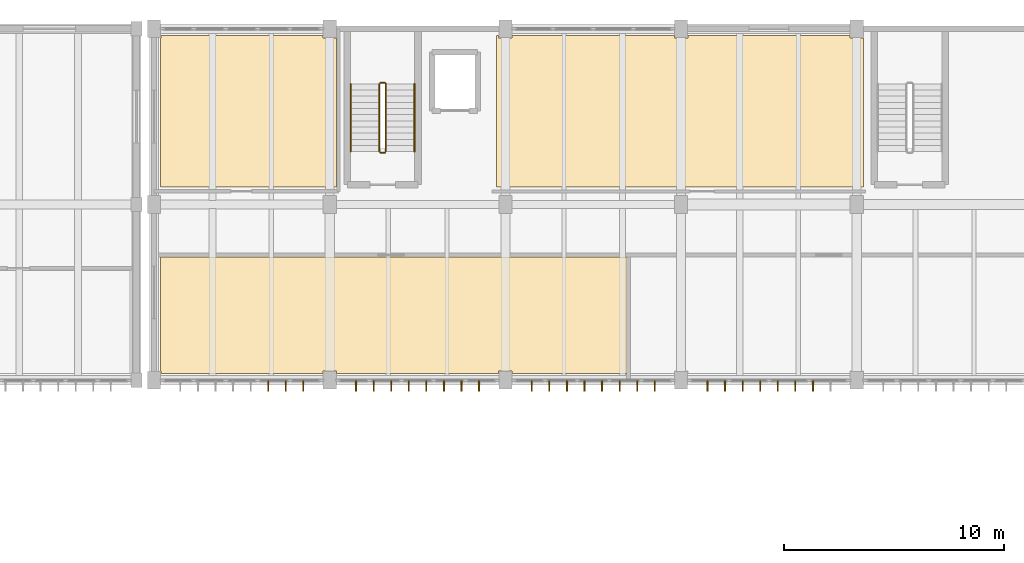
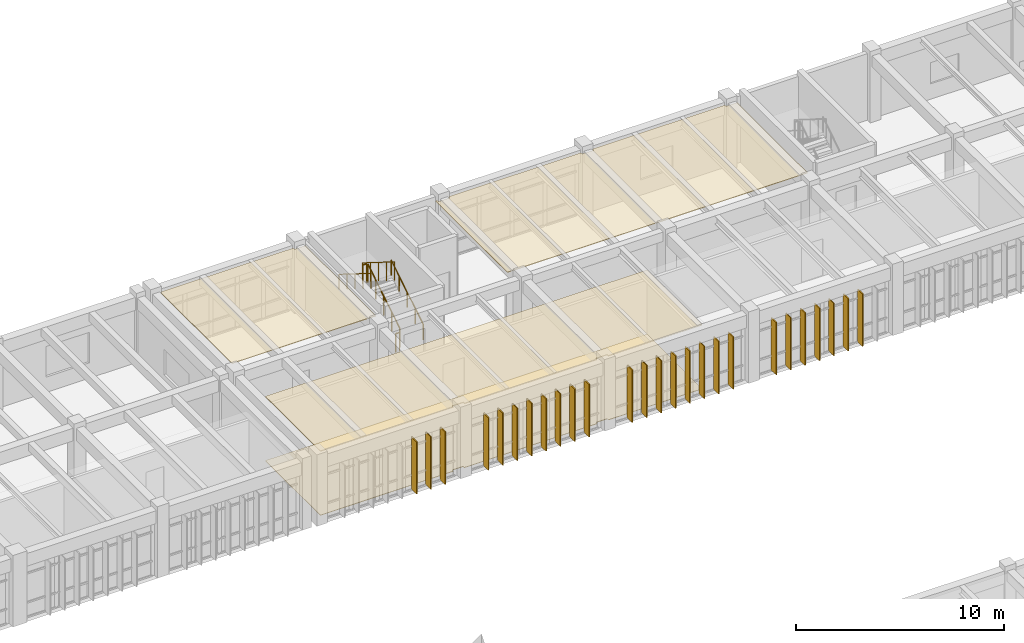
# One storey, part 64 of 67: 26 shading devices, 6 railings, 4 coverings.
"""IFC4 building model written with IfcOpenShell, lengths in metres."""

import ifcopenshell
import ifcopenshell.guid

model = None  # the IFC model being written
_history = None  # IfcOwnerHistory: only IFC2X3 demands one
_inside = {}  # id of a spatial element -> (the spatial element, [elements in it])
_under = {}  # id of a project, library or spatial element -> (it, [spatial elements below it])
_declared = {}  # id of a project -> (the project, [libraries it declares])
_typed = {}  # id of a type object -> (the type object, [elements of that type])
_made_of = {}  # id of a material, layer set ... -> (it, [elements and type objects made of it])


def new_model(schema):
    """Start an empty IFC model of exactly this schema.

    Asked for "IFC4X3", IfcOpenShell would pick the latest addendum, in which some entities
    have other attributes; the version numbers below select the first issue.
    IFC2X3 requires an IfcOwnerHistory on every rooted entity: one is made here for all.
    """
    global model, _history
    if schema == "IFC4X3":
        model = ifcopenshell.file(schema_version=(4, 3, 0, 0))
    else:
        model = ifcopenshell.file(schema=schema)
    _inside.clear()
    _under.clear()
    _declared.clear()
    _typed.clear()
    _made_of.clear()
    _history = None
    if model.schema == "IFC2X3":
        org = make("IfcOrganization", Name="unknown")
        user = make(
            "IfcPersonAndOrganization",
            ThePerson=make("IfcPerson", FamilyName="unknown"),
            TheOrganization=org,
        )
        app = make(
            "IfcApplication",
            ApplicationDeveloper=org,
            Version="unknown",
            ApplicationFullName="unknown",
            ApplicationIdentifier="unknown",
        )
        _history = make(
            "IfcOwnerHistory",
            OwningUser=user,
            OwningApplication=app,
            ChangeAction="ADDED",
            CreationDate=0,
        )
    return model


def make(cls, **values):
    """One entity of the class cls with the attributes given. An attribute that is None is left unset."""
    return model.create_entity(
        cls, **{name: value for name, value in values.items() if value is not None}
    )


def rooted(cls, **values):
    """An entity with a GlobalId (a new one), such as an element, a storey or a relation."""
    return make(cls, GlobalId=ifcopenshell.guid.new(), OwnerHistory=_history, **values)


def si_unit(unit_type, name, prefix=None):
    """IfcSIUnit, for example si_unit("LENGTHUNIT", "METRE", prefix="MILLI")."""
    return make("IfcSIUnit", UnitType=unit_type, Prefix=prefix, Name=name)


def assignment(units):
    """IfcUnitAssignment: the units of a project."""
    return None if units is None else make("IfcUnitAssignment", Units=units)


def point(xyz):
    """IfcCartesianPoint."""
    return None if xyz is None else make("IfcCartesianPoint", Coordinates=xyz)


def direction(xyz):
    """IfcDirection."""
    return None if xyz is None else make("IfcDirection", DirectionRatios=xyz)


def frame(location, z_axis=None, x_axis=None):
    """IfcAxis2Placement3D, a coordinate frame: its origin and axes. An axis left out is left unset."""
    return make(
        "IfcAxis2Placement3D",
        Location=point(location),
        Axis=direction(z_axis),
        RefDirection=direction(x_axis),
    )


def frame_2d(location, x_axis=None):
    """IfcAxis2Placement2D, a coordinate frame in the plane: its origin and x axis."""
    return make(
        "IfcAxis2Placement2D", Location=point(location), RefDirection=direction(x_axis)
    )


def origin():
    """The frame at (0, 0, 0) with its axes left unset."""
    return frame((0.0, 0.0, 0.0))


def origin_2d():
    """The frame at (0, 0) in the plane with its x axis left unset."""
    return frame_2d((0.0, 0.0))


def place(relative_to, where):
    """IfcLocalPlacement: puts the frame where relative to a parent placement (None: the world)."""
    return make(
        "IfcLocalPlacement", PlacementRelTo=relative_to, RelativePlacement=where
    )


def context(
    kind, dimensions, precision=None, world=None, true_north=None, identifier=None
):
    """IfcGeometricRepresentationContext, for example the 3D "Model" context."""
    return make(
        "IfcGeometricRepresentationContext",
        ContextIdentifier=identifier,
        ContextType=kind,
        CoordinateSpaceDimension=dimensions,
        Precision=precision,
        WorldCoordinateSystem=world,
        TrueNorth=true_north,
    )


def subcontext(parent, identifier, kind, view, scale=None):
    """IfcGeometricRepresentationSubContext, for example "Body" below "Model"."""
    return make(
        "IfcGeometricRepresentationSubContext",
        ContextIdentifier=identifier,
        ContextType=kind,
        ParentContext=parent,
        TargetScale=scale,
        TargetView=view,
    )


def project(units=None, contexts=None):
    """IfcProject with its units and contexts."""
    return rooted(
        "IfcProject",
        Name="project",
        RepresentationContexts=contexts,
        UnitsInContext=assignment(units),
    )


def spatial(cls, under=None, at=None, **own):
    """A site, building, storey or space (cls), placed at a placement, below another one or the project."""
    s = rooted(cls, ObjectPlacement=at, **own)
    if under is not None:
        _under.setdefault(under.id(), (under, []))[1].append(s)
    return s


def polyline(points):
    """IfcPolyline through the points."""
    return make("IfcPolyline", Points=[point(p) for p in points])


def profile(cls, at=None, kind="AREA", **sizes):
    """A parametric profile (cls). Its sizes go by their IFC names, for example OverallWidth=200.0."""
    return make(cls, ProfileType=kind, Position=at, **sizes)


def rectangle(**sizes):
    """IfcRectangleProfileDef."""
    return profile("IfcRectangleProfileDef", **sizes)


def circle(**sizes):
    """IfcCircleProfileDef."""
    return profile("IfcCircleProfileDef", **sizes)


def outline(outer, holes=None, kind="AREA"):
    """IfcArbitraryClosedProfileDef: a profile drawn as a closed curve; with holes, ...WithVoids."""
    if holes is None:
        return make("IfcArbitraryClosedProfileDef", ProfileType=kind, OuterCurve=outer)
    return make(
        "IfcArbitraryProfileDefWithVoids",
        ProfileType=kind,
        OuterCurve=outer,
        InnerCurves=holes,
    )


def extrude(swept, where, along, depth):
    """IfcExtrudedAreaSolid: the profile swept, set in the frame where, extruded along a direction by depth."""
    return make(
        "IfcExtrudedAreaSolid",
        SweptArea=swept,
        Position=where,
        ExtrudedDirection=direction(along),
        Depth=depth,
    )


def shape(context_of_items, identifier, shape_type, items):
    """IfcShapeRepresentation: the items that make up one representation, for example the "Body"."""
    return make(
        "IfcShapeRepresentation",
        ContextOfItems=context_of_items,
        RepresentationIdentifier=identifier,
        RepresentationType=shape_type,
        Items=items,
    )


def material(Name=None, Category=None):
    """IfcMaterial."""
    return make("IfcMaterial", Name=Name, Category=Category)


def layer(
    of_material, thickness, ventilated=None, Name=None, Category=None, Priority=None
):
    """IfcMaterialLayer: one layer of a wall or slab, of a material (None: an air gap)."""
    return make(
        "IfcMaterialLayer",
        Material=of_material,
        LayerThickness=thickness,
        IsVentilated=ventilated,
        Name=Name,
        Category=Category,
        Priority=Priority,
    )


def layer_set(layers, Name=None):
    """IfcMaterialLayerSet."""
    return make("IfcMaterialLayerSet", MaterialLayers=layers, LayerSetName=Name)


def made_of(thing, what):
    """Note that an element or type object is made of a material, layer set ...; save() writes the relation."""
    if what is not None:
        _made_of.setdefault(what.id(), (what, []))[1].append(thing)
    return thing


def type_object(cls, material=None, **own):
    """A type object (cls), such as IfcWallType, which elements share."""
    return made_of(rooted(cls, **own), material)


def element(
    cls,
    number,
    at=None,
    inside=None,
    cuts=None,
    type_object=None,
    material=None,
    context=None,
    identifier="Body",
    shape_type=None,
    held_by="IfcProductDefinitionShape",
    body=None,
    shapes=None,
    **own,
):
    """One element of the class cls, such as IfcWall. Its Tag is "e" and its number.

    at: its placement. inside: the storey or other place that contains it. cuts: it is an
    opening in that element (IfcRelVoidsElement). A single representation is given by context,
    identifier, shape_type and body (its items); several are given by shapes. held_by: the class
    of the entity that holds the representations. save() writes the other relations.
    """
    e = rooted(cls, Tag="e%d" % number, ObjectPlacement=at, **own)
    if body is not None:
        shapes = [shape(context, identifier, shape_type, body)]
    if shapes is not None:
        e.Representation = make(held_by, Representations=shapes)
    if inside is not None:
        _inside.setdefault(inside.id(), (inside, []))[1].append(e)
    if cuts is not None:
        rooted(
            "IfcRelVoidsElement", RelatingBuildingElement=cuts, RelatedOpeningElement=e
        )
    if type_object is not None:
        _typed.setdefault(type_object.id(), (type_object, []))[1].append(e)
    return made_of(e, material)


def aggregate(whole, parts):
    """IfcRelAggregates: a whole, such as a stair, and the parts it consists of."""
    return rooted("IfcRelAggregates", RelatingObject=whole, RelatedObjects=parts)


def save(model, path):
    """Write the relations noted so far, then the file.

    IfcRelAggregates (storeys below a building ...), IfcRelContainedInSpatialStructure (elements
    in a storey), IfcRelDefinesByType, IfcRelAssociatesMaterial and IfcRelDeclares: one each for
    every whole, place, type object, material and project.
    """
    for whole, parts in _under.values():
        aggregate(whole, parts)
    for where, things in _inside.values():
        rooted(
            "IfcRelContainedInSpatialStructure",
            RelatedElements=things,
            RelatingStructure=where,
        )
    for kind, things in _typed.values():
        rooted("IfcRelDefinesByType", RelatedObjects=things, RelatingType=kind)
    for what, things in _made_of.values():
        rooted("IfcRelAssociatesMaterial", RelatedObjects=things, RelatingMaterial=what)
    for by, libraries in _declared.values():
        rooted("IfcRelDeclares", RelatingContext=by, RelatedDefinitions=libraries)
    model.write(path)


model = new_model("IFC4")

# Units and contexts
model_context = context("Model", 3, precision=1e-05, world=origin(), true_north=direction((0.0, 1.0)))
body_context = subcontext(model_context, "Body", "Model", "MODEL_VIEW")
ifc_project = project(units=[si_unit("LENGTHUNIT", "METRE"), si_unit("AREAUNIT", "SQUARE_METRE"), si_unit("VOLUMEUNIT", "CUBIC_METRE"), si_unit("PLANEANGLEUNIT", "RADIAN"), si_unit("MASSUNIT", "GRAM", prefix="KILO")], contexts=[model_context])

# Site, building, storey
site_placement = place(None, origin())
site = spatial("IfcSite", under=ifc_project, at=site_placement, CompositionType="ELEMENT")
building_placement = place(site_placement, origin())
building = spatial("IfcBuilding", under=site, at=building_placement, Name="Tlaxcora Railside Police Headquarters", CompositionType="ELEMENT")
storey_placement = place(building_placement, frame((0.0, 0.0, 4.800048828125)))
storey = spatial("IfcBuildingStorey", under=building, at=storey_placement, Name="L01", CompositionType="ELEMENT", Elevation=4.800048828125)

# Coverings
ifc_material_1 = material(Name="Mineral-fibre acoustic ceiling tile")
ifc_layer_1 = layer(ifc_material_1, 0.034912109375, Name="Mineral-fibre acoustic ceiling tile")
ifc_layer_set_1 = layer_set([ifc_layer_1], Name="Mineral-fibre acoustic ceiling tile")
covering_type_1 = type_object("IfcCoveringType", Name="Acoustic Suspended Ceiling CLG-01", PredefinedType="CEILING", material=ifc_layer_set_1)
covering_1_placement = place(storey_placement, frame((0.0, 0.0, 3.764892578125)))
element("IfcCovering", 1, at=covering_1_placement, inside=storey, type_object=covering_type_1, Name="Accessible WC and Lab Emergency Wash L01 suspended ceiling", PredefinedType="CEILING", context=body_context, shape_type="SweptSolid", body=[
    extrude(outline(polyline([(103.10009765625, 92.389892578125), (103.10009765625, 85.60009765625), (111.10009765625, 85.60009765625), (111.10009765625, 92.389892578125), (110.489990234375, 92.389892578125), (110.489990234375, 92.5), (103.110107421875, 92.5), (103.110107421875, 92.389892578125), (103.10009765625, 92.389892578125)])), origin(), (0.0, 0.0, 1.0), 0.03515625),
])
covering_2_placement = place(storey_placement, frame((0.0, 0.0, 3.764892578125)))
element("IfcCovering", 2, at=covering_2_placement, inside=storey, type_object=covering_type_1, Name="Forensic Chemists Write-Up Office suspended ceiling", PredefinedType="CEILING", context=body_context, shape_type="SweptSolid", body=[
    extrude(outline(polyline([(118.489990234375, 92.5), (118.39990234375, 92.5), (118.39990234375, 85.60009765625), (135.10009765625, 85.60009765625), (135.10009765625, 92.389892578125), (134.489990234375, 92.389892578125), (134.489990234375, 92.5), (127.110107421875, 92.5), (127.110107421875, 92.389892578125), (126.489990234375, 92.389892578125), (126.489990234375, 92.5), (119.110107421875, 92.5), (119.110107421875, 92.389892578125), (118.489990234375, 92.389892578125), (118.489990234375, 92.5)])), origin(), (0.0, 0.0, 1.0), 0.03515625),
])
ifc_material_2 = material(Name="Heavy-duty resin and raised-access technical flooring")
ifc_layer_2 = layer(ifc_material_2, 0.02490234375, Name="Heavy-duty resin and raised-access technical flooring")
ifc_layer_set_2 = layer_set([ifc_layer_2], Name="Heavy-duty resin and raised-access technical flooring")
covering_type_2 = type_object("IfcCoveringType", Name="Epoxy Chemical-Resistant Lab Flooring FLR-02", PredefinedType="FLOORING", material=ifc_layer_set_2)
covering_3_placement = place(storey_placement, origin())
element("IfcCovering", 3, at=covering_3_placement, inside=storey, type_object=covering_type_2, Name="Forensic Chemistry and Toxicology Laboratory technical floor finish", PredefinedType="FLOORING", context=body_context, shape_type="SweptSolid", body=[
    extrude(outline(polyline([(124.327880859375, 82.39990234375), (103.10009765625, 82.39990234375), (103.10009765625, 77.2099609375), (103.110107421875, 77.2099609375), (103.110107421875, 77.10009765625), (110.489990234375, 77.10009765625), (110.489990234375, 77.2099609375), (111.110107421875, 77.2099609375), (111.110107421875, 77.10009765625), (118.489990234375, 77.10009765625), (118.489990234375, 77.2099609375), (119.110107421875, 77.2099609375), (119.110107421875, 77.10009765625), (124.327880859375, 77.10009765625), (124.327880859375, 82.39990234375)])), origin(), (0.0, 0.0, 1.0), 0.02490234375),
])
ifc_layer_3 = layer(ifc_material_1, 0.044921875, Name="Mineral-fibre acoustic ceiling tile")
ifc_layer_set_3 = layer_set([ifc_layer_3], Name="Mineral-fibre acoustic ceiling tile")
covering_type_3 = type_object("IfcCoveringType", Name="Laboratory Hygienic Ceiling CLG-02", PredefinedType="CEILING", material=ifc_layer_set_3)
covering_4_placement = place(storey_placement, frame((0.0, 0.0, 3.7548828125)))
element("IfcCovering", 4, at=covering_4_placement, inside=storey, type_object=covering_type_3, Name="Forensic Chemistry and Toxicology Laboratory suspended ceiling", PredefinedType="CEILING", context=body_context, shape_type="SweptSolid", body=[
    extrude(outline(polyline([(124.327880859375, 82.39990234375), (103.10009765625, 82.39990234375), (103.10009765625, 77.2099609375), (103.110107421875, 77.2099609375), (103.110107421875, 77.10009765625), (110.489990234375, 77.10009765625), (110.489990234375, 77.2099609375), (111.110107421875, 77.2099609375), (111.110107421875, 77.10009765625), (118.489990234375, 77.10009765625), (118.489990234375, 77.2099609375), (119.110107421875, 77.2099609375), (119.110107421875, 77.10009765625), (124.327880859375, 77.10009765625), (124.327880859375, 82.39990234375)])), origin(), (0.0, 0.0, 1.0), 0.045166015625),
])

# Shading devices
ifc_material_3 = material(Name="Bronze-anodised perforated aluminium sheet", Category="aluminium")
ifc_layer_4 = layer(ifc_material_3, 0.06494140625, Name="Bronze-anodised perforated aluminium sheet")
ifc_layer_set_4 = layer_set([ifc_layer_4], Name="Bronze-anodised perforated aluminium sheet")
shading_device_type = type_object("IfcShadingDeviceType", Name="Solar Control Fin SF-02", PredefinedType="JALOUSIE", material=ifc_layer_set_4)
for number, where, z_axis, x_axis, name in (
    (5, (108.0, 76.5400390625, 0.039794921875), (0.0, 0.0, 1.0), (0.0, -1.0, 0.0), "Vertical solar fin 773"),
    (6, (108.800048828125, 76.5400390625, 0.039794921875), (0.0, 0.0, 1.0), (0.0, -1.0, 0.0), "Vertical solar fin 774"),
    (7, (109.60009765625, 76.5400390625, 0.039794921875), (0.0, 0.0, 1.0), (0.0, -1.0, 0.0), "Vertical solar fin 775"),
    (8, (112.0, 76.5400390625, 0.039794921875), (0.0, 0.0, 1.0), (0.0, -1.0, 0.0), "Vertical solar fin 776"),
    (9, (112.800048828125, 76.5400390625, 0.039794921875), (0.0, 0.0, 1.0), (0.0, -1.0, 0.0), "Vertical solar fin 777"),
    (10, (113.60009765625, 76.5400390625, 0.039794921875), (0.0, 0.0, 1.0), (0.0, -1.0, 0.0), "Vertical solar fin 778"),
    (11, (114.39990234375, 76.5400390625, 0.039794921875), (0.0, 0.0, 1.0), (0.0, -1.0, 0.0), "Vertical solar fin 779"),
    (12, (115.199951171875, 76.5400390625, 0.039794921875), (0.0, 0.0, 1.0), (0.0, -1.0, 0.0), "Vertical solar fin 780"),
    (13, (116.0, 76.5400390625, 0.039794921875), (0.0, 0.0, 1.0), (0.0, -1.0, 0.0), "Vertical solar fin 781"),
    (14, (116.800048828125, 76.5400390625, 0.039794921875), (0.0, 0.0, 1.0), (0.0, -1.0, 0.0), "Vertical solar fin 782"),
    (15, (117.60009765625, 76.5400390625, 0.039794921875), (0.0, 0.0, 1.0), (0.0, -1.0, 0.0), "Vertical solar fin 783"),
    (16, (120.0, 76.5400390625, 0.039794921875), (0.0, 0.0, 1.0), (0.0, -1.0, 0.0), "Vertical solar fin 784"),
    (17, (120.800048828125, 76.5400390625, 0.039794921875), (0.0, 0.0, 1.0), (0.0, -1.0, 0.0), "Vertical solar fin 785"),
    (18, (121.60009765625, 76.5400390625, 0.039794921875), (0.0, 0.0, 1.0), (0.0, -1.0, 0.0), "Vertical solar fin 786"),
    (19, (122.39990234375, 76.5400390625, 0.039794921875), (0.0, 0.0, 1.0), (0.0, -1.0, 0.0), "Vertical solar fin 787"),
    (20, (123.199951171875, 76.5400390625, 0.039794921875), (0.0, 0.0, 1.0), (0.0, -1.0, 0.0), "Vertical solar fin 788"),
    (21, (124.0, 76.5400390625, 0.039794921875), (0.0, 0.0, 1.0), (0.0, -1.0, 0.0), "Vertical solar fin 789"),
    (22, (124.800048828125, 76.5400390625, 0.039794921875), (0.0, 0.0, 1.0), (0.0, -1.0, 0.0), "Vertical solar fin 790"),
    (23, (125.60009765625, 76.5400390625, 0.039794921875), (0.0, 0.0, 1.0), (0.0, -1.0, 0.0), "Vertical solar fin 791"),
    (24, (128.0, 76.5400390625, 0.039794921875), (0.0, 0.0, 1.0), (0.0, -1.0, 0.0), "Vertical solar fin 792"),
    (25, (128.800048828125, 76.5400390625, 0.039794921875), (0.0, 0.0, 1.0), (0.0, -1.0, 0.0), "Vertical solar fin 793"),
    (26, (129.60009765625, 76.5400390625, 0.039794921875), (0.0, 0.0, 1.0), (0.0, -1.0, 0.0), "Vertical solar fin 794"),
    (27, (130.39990234375, 76.5400390625, 0.039794921875), (0.0, 0.0, 1.0), (0.0, -1.0, 0.0), "Vertical solar fin 795"),
    (28, (131.199951171875, 76.5400390625, 0.039794921875), (0.0, 0.0, 1.0), (0.0, -1.0, 0.0), "Vertical solar fin 796"),
    (29, (132.0, 76.5400390625, 0.039794921875), (0.0, 0.0, 1.0), (0.0, -1.0, 0.0), "Vertical solar fin 797"),
    (30, (132.800048828125, 76.5400390625, 0.039794921875), (0.0, 0.0, 1.0), (0.0, -1.0, 0.0), "Vertical solar fin 798"),
):
    element("IfcShadingDevice", number, at=place(storey_placement, frame(where, z_axis=z_axis, x_axis=x_axis)), inside=storey, type_object=shading_device_type, Name=name, PredefinedType="JALOUSIE", context=body_context, shape_type="SweptSolid", body=[
        extrude(rectangle(XDim=0.47998046875, YDim=0.054931640625, at=origin_2d()), origin(), (0.0, 0.0, 1.0), 3.080078125),
    ])

# Railings
ifc_material_4 = material(Name="Steel ASTM A992 Grade 50", Category="steel")
railing_type_1 = type_object("IfcRailingType", Name="Stair Well Guard Balustrade GR-02", PredefinedType="BALUSTRADE", material=ifc_material_4)
railing_1_placement = place(storey_placement, frame((113.360107421875, 87.2099609375, 0.175048828125)))
element("IfcRailing", 31, at=railing_1_placement, inside=storey, type_object=railing_type_1, Name="L01 ST3 stair guard 1", PredefinedType="BALUSTRADE", context=body_context, shape_type="SweptSolid", body=[
    extrude(circle(Radius=0.02392578125, at=origin_2d()), frame((0.0, 0.0, 1.09619140625), z_axis=(0.0, 0.848028513186, 0.529950602248), x_axis=(-1.0, 0.0, 0.0)), (0.0, 0.0, 1.0), 3.632080078125),
    extrude(circle(Radius=0.02099609375, at=origin_2d()), origin(), (0.0, 0.0, 1.0), 1.072021484375),
    extrude(circle(Radius=0.02099609375, at=origin_2d()), frame((0.0, 0.77001953125, 0.481201171875)), (0.0, 0.0, 1.0), 1.072021484375),
    extrude(circle(Radius=0.02099609375, at=origin_2d()), frame((0.0, 1.5400390625, 0.96240234375)), (0.0, 0.0, 1.0), 1.072021484375),
    extrude(circle(Radius=0.02099609375, at=origin_2d()), frame((0.0, 2.31005859375, 1.443603515625)), (0.0, 0.0, 1.0), 1.072021484375),
    extrude(circle(Radius=0.02099609375, at=origin_2d()), frame((0.0, 3.080078125, 1.9248046875)), (0.0, 0.0, 1.0), 1.072021484375),
])
railing_2_placement = place(storey_placement, frame((113.31005859375, 90.340087890625, 2.099853515625)))
element("IfcRailing", 32, at=railing_2_placement, inside=storey, type_object=railing_type_1, Name="L01 ST3 stair guard 2", PredefinedType="BALUSTRADE", context=body_context, shape_type="SweptSolid", body=[
    extrude(circle(Radius=0.02392578125, at=origin_2d()), frame((0.0, 0.0, 1.09619140625), z_axis=(-1.0, 0.0, 0.0), x_axis=(0.0, -1.0, 0.0)), (0.0, 0.0, 1.0), 0.199951171875),
    extrude(circle(Radius=0.02099609375, at=origin_2d()), origin(), (0.0, 0.0, 1.0), 1.072021484375),
    extrude(circle(Radius=0.02099609375, at=origin_2d()), frame((-0.199951171875, 0.0, 0.0)), (0.0, 0.0, 1.0), 1.072021484375),
])
railing_3_placement = place(storey_placement, frame((113.06005859375, 90.2900390625, 2.27490234375)))
element("IfcRailing", 33, at=railing_3_placement, inside=storey, type_object=railing_type_1, Name="L01 ST3 stair guard 3", PredefinedType="BALUSTRADE", context=body_context, shape_type="SweptSolid", body=[
    extrude(circle(Radius=0.02392578125, at=origin_2d()), frame((0.0, 0.0, 1.09619140625), z_axis=(0.0, -0.847998304005, 0.529998940003), x_axis=(1.0, 0.0, 0.0)), (0.0, 0.0, 1.0), 3.632080078125),
    extrude(circle(Radius=0.02099609375, at=origin_2d()), origin(), (0.0, 0.0, 1.0), 1.072021484375),
    extrude(circle(Radius=0.02099609375, at=origin_2d()), frame((0.0, -0.77001953125, 0.481201171875)), (0.0, 0.0, 1.0), 1.072021484375),
    extrude(circle(Radius=0.02099609375, at=origin_2d()), frame((0.0, -1.5400390625, 0.96240234375)), (0.0, 0.0, 1.0), 1.072021484375),
    extrude(circle(Radius=0.02099609375, at=origin_2d()), frame((0.0, -2.31005859375, 1.44384765625)), (0.0, 0.0, 1.0), 1.072021484375),
    extrude(circle(Radius=0.02099609375, at=origin_2d()), frame((0.0, -3.080078125, 1.925048828125)), (0.0, 0.0, 1.0), 1.072021484375),
])
railing_4_placement = place(storey_placement, frame((113.31005859375, 87.159912109375, 0.0)))
element("IfcRailing", 34, at=railing_4_placement, inside=storey, type_object=railing_type_1, Name="L01 ST3 stair guard 4", PredefinedType="BALUSTRADE", context=body_context, shape_type="SweptSolid", body=[
    extrude(circle(Radius=0.02392578125, at=origin_2d()), frame((0.0, 0.0, 1.09619140625), z_axis=(-1.0, 0.0, 0.0), x_axis=(0.0, -1.0, 0.0)), (0.0, 0.0, 1.0), 0.199951171875),
    extrude(circle(Radius=0.02099609375, at=origin_2d()), origin(), (0.0, 0.0, 1.0), 1.072021484375),
    extrude(circle(Radius=0.02099609375, at=origin_2d()), frame((-0.199951171875, 0.0, 0.0)), (0.0, 0.0, 1.0), 1.072021484375),
])
railing_type_2 = type_object("IfcRailingType", Name="Stair and Ramp Handrail HR-01", PredefinedType="HANDRAIL", material=ifc_material_4)
railing_5_placement = place(storey_placement, frame((114.659912109375, 87.2099609375, 0.175048828125)))
element("IfcRailing", 35, at=railing_5_placement, inside=storey, type_object=railing_type_2, Name="L01 ST3 stair handrail 1", PredefinedType="HANDRAIL", context=body_context, shape_type="SweptSolid", body=[
    extrude(circle(Radius=0.02392578125, at=origin_2d()), frame((0.0, 0.0, 0.8759765625), z_axis=(0.0, 0.848028513186, 0.529950602248), x_axis=(-1.0, 0.0, 0.0)), (0.0, 0.0, 1.0), 3.632080078125),
    extrude(circle(Radius=0.02099609375, at=origin_2d()), origin(), (0.0, 0.0, 1.0), 0.851806640625),
    extrude(circle(Radius=0.02099609375, at=origin_2d()), frame((0.0, 0.77001953125, 0.481201171875)), (0.0, 0.0, 1.0), 0.851806640625),
    extrude(circle(Radius=0.02099609375, at=origin_2d()), frame((0.0, 1.5400390625, 0.96240234375)), (0.0, 0.0, 1.0), 0.851806640625),
    extrude(circle(Radius=0.02099609375, at=origin_2d()), frame((0.0, 2.31005859375, 1.443603515625)), (0.0, 0.0, 1.0), 0.851806640625),
    extrude(circle(Radius=0.02099609375, at=origin_2d()), frame((0.0, 3.080078125, 1.9248046875)), (0.0, 0.0, 1.0), 0.851806640625),
])
railing_6_placement = place(storey_placement, frame((111.760009765625, 90.2900390625, 2.27490234375)))
element("IfcRailing", 36, at=railing_6_placement, inside=storey, type_object=railing_type_2, Name="L01 ST3 stair handrail 2", PredefinedType="HANDRAIL", context=body_context, shape_type="SweptSolid", body=[
    extrude(circle(Radius=0.02392578125, at=origin_2d()), frame((0.0, 0.0, 0.8759765625), z_axis=(0.0, -0.847998304005, 0.529998940003), x_axis=(1.0, 0.0, 0.0)), (0.0, 0.0, 1.0), 3.632080078125),
    extrude(circle(Radius=0.02099609375, at=origin_2d()), origin(), (0.0, 0.0, 1.0), 0.851806640625),
    extrude(circle(Radius=0.02099609375, at=origin_2d()), frame((0.0, -0.77001953125, 0.481201171875)), (0.0, 0.0, 1.0), 0.851806640625),
    extrude(circle(Radius=0.02099609375, at=origin_2d()), frame((0.0, -1.5400390625, 0.96240234375)), (0.0, 0.0, 1.0), 0.851806640625),
    extrude(circle(Radius=0.02099609375, at=origin_2d()), frame((0.0, -2.31005859375, 1.44384765625)), (0.0, 0.0, 1.0), 0.851806640625),
    extrude(circle(Radius=0.02099609375, at=origin_2d()), frame((0.0, -3.080078125, 1.925048828125)), (0.0, 0.0, 1.0), 0.851806640625),
])

save(model, "model.ifc")
